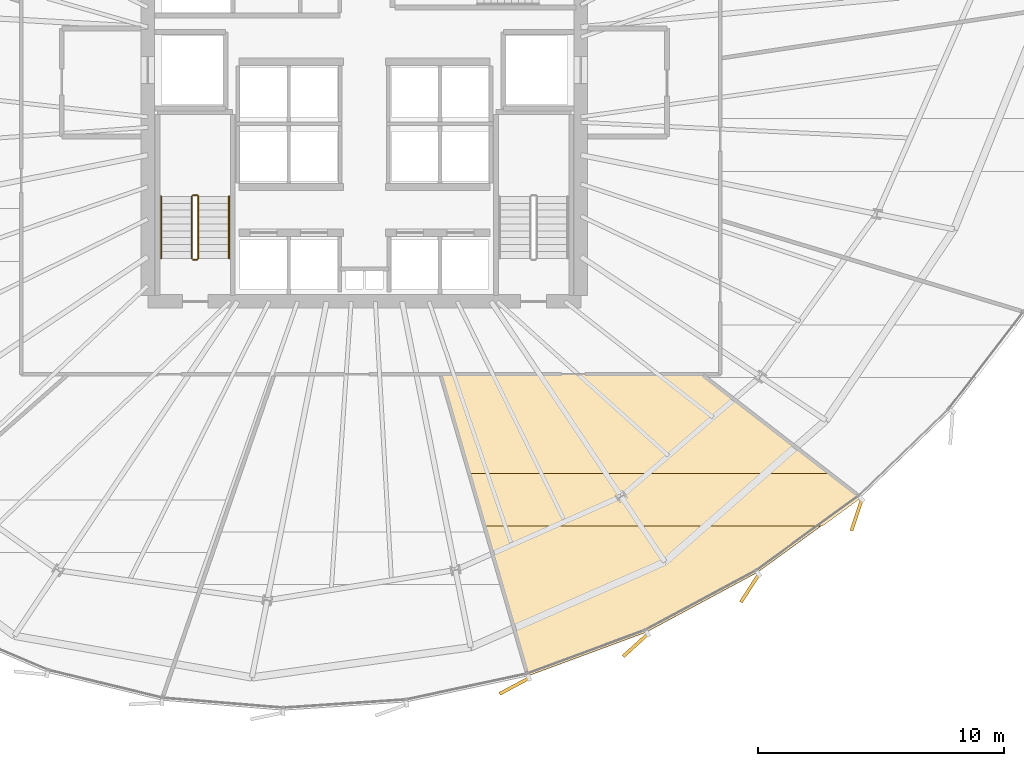
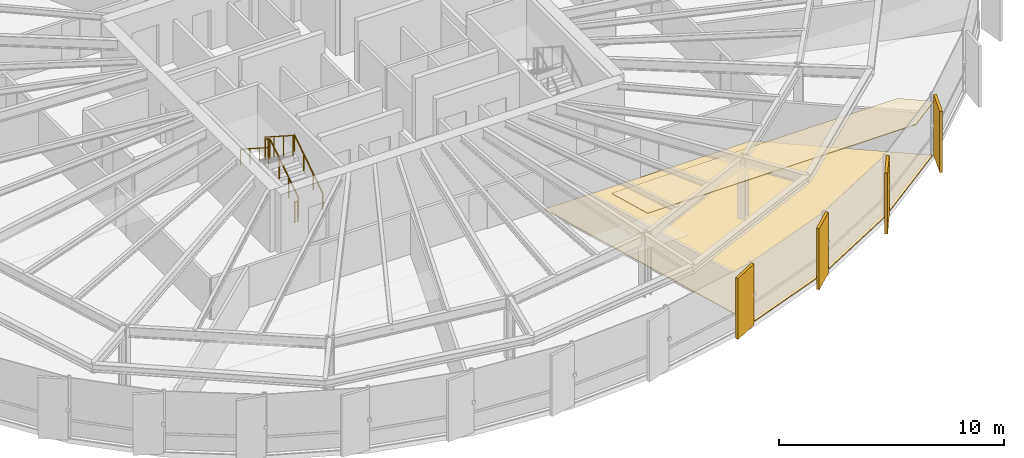
# One storey, part 33 of 35: 6 coverings, 6 railings.
"""IFC4 building model written with IfcOpenShell, lengths in metres."""

from ifc_helpers import new_model, si_unit, direction, frame, origin, origin_2d, place, context, subcontext, project, spatial, polyline, rectangle, circle, outline, extrude, source, transform, mapped, material, layer, layer_set, type_object, element, save


model = new_model("IFC4")

# Units and contexts
model_context = context("Model", 3, precision=1e-05, world=origin(), true_north=direction((0.0, 1.0)))
body_context = subcontext(model_context, "Body", "Model", "MODEL_VIEW")
ifc_project = project(units=[si_unit("LENGTHUNIT", "METRE"), si_unit("AREAUNIT", "SQUARE_METRE"), si_unit("VOLUMEUNIT", "CUBIC_METRE"), si_unit("PLANEANGLEUNIT", "RADIAN"), si_unit("MASSUNIT", "GRAM", prefix="KILO"), si_unit("THERMODYNAMICTEMPERATUREUNIT", "KELVIN")], contexts=[model_context])

# Site, building, storey
site_placement = place(None, origin())
site = spatial("IfcSite", under=ifc_project, at=site_placement, CompositionType="ELEMENT")
building_placement = place(site_placement, origin())
building = spatial("IfcBuilding", under=site, at=building_placement, Name="Kethvar Cultural Tower", CompositionType="ELEMENT")
storey_placement = place(building_placement, frame((0.0, 0.0, 100.0)))
storey = spatial("IfcBuildingStorey", under=building, at=storey_placement, Name="L24", CompositionType="ELEMENT", Elevation=100.0)

# Coverings
ifc_material_1 = material(Name="Acoustic Mineral Fibre Ceiling")
ifc_layer_1 = layer(ifc_material_1, 0.0400390625, Name="Acoustic Mineral Fibre Ceiling")
ifc_layer_set_1 = layer_set([ifc_layer_1], Name="Acoustic Mineral Fibre Ceiling (40 mm)")
covering_type_1 = type_object("IfcCoveringType", Name="CV-ACOUSTIC-CEIL", PredefinedType="CEILING", material=ifc_layer_set_1)
covering_1_placement = place(storey_placement, frame((0.0, 0.0, 2.889892578125)))
element("IfcCovering", 1, at=covering_1_placement, inside=storey, type_object=covering_type_1, Name="L24 Room 03 Acoustic Ceiling Panel", PredefinedType="CEILING", context=body_context, shape_type="SweptSolid", body=[
    extrude(outline(polyline([(51.0458984375, 13.1142578125), (65.720458984375, 13.1142578125), (66.987548828125, 12.1181640625), (65.4169921875, 10.96435546875), (51.67041015625, 10.96435546875), (51.0458984375, 13.1142578125)])), origin(), (0.0, 0.0, 1.0), 0.0400390625),
])
ifc_material_2 = material(Name="Honed Warm Limestone", Category="masonry")
ifc_layer_2 = layer(ifc_material_2, 0.030029296875, Name="Honed Warm Limestone", Category="masonry")
ifc_layer_set_2 = layer_set([ifc_layer_2], Name="Honed Warm Limestone (30 mm)")
covering_type_2 = type_object("IfcCoveringType", Name="CV-STONE-FLOOR", PredefinedType="FLOORING", material=ifc_layer_set_2)
covering_2_placement = place(storey_placement, origin())
element("IfcCovering", 2, at=covering_2_placement, inside=storey, type_object=covering_type_2, Name="L24 Room 03 Floor Finish", PredefinedType="FLOORING", context=body_context, shape_type="SweptSolid", body=[
    extrude(outline(polyline([(62.77783203125, 9.090087890625), (58.241455078125, 6.650390625), (53.476806640625, 4.89013671875), (49.923583984375, 17.1201171875), (60.50341796875, 17.1201171875), (66.934326171875, 12.119873046875), (62.77783203125, 9.090087890625)])), origin(), (0.0, 0.0, 1.0), 0.030029296875),
])

# Railings
ifc_material_3 = material(Name="Steel S355J2", Category="steel")
railing_type_1 = type_object("IfcRailingType", Name="RL-STAIR-GUARD", PredefinedType="BALUSTRADE", material=ifc_material_3)
railing_1_placement = place(storey_placement, frame((40.050048828125, 21.85009765625, 0.179931640625)))
element("IfcRailing", 3, at=railing_1_placement, inside=storey, type_object=railing_type_1, Name="L24 ST-01 stair guard 1", PredefinedType="BALUSTRADE", context=body_context, shape_type="SweptSolid", body=[
    extrude(circle(Radius=0.02392578125, at=origin_2d()), frame((0.0, 0.0, 1.09619140625), z_axis=(0.0, 0.841162588446, 0.540782303519), x_axis=(-1.0, 0.0, 0.0)), (0.0, 0.0, 1.0), 2.995849609375),
    extrude(circle(Radius=0.02099609375, at=origin_2d()), origin(), (0.0, 0.0, 1.0), 1.072021484375),
    extrude(circle(Radius=0.02099609375, at=origin_2d()), frame((0.0, 0.840087890625, 0.5400390625)), (0.0, 0.0, 1.0), 1.072021484375),
    extrude(circle(Radius=0.02099609375, at=origin_2d()), frame((0.0, 1.679931640625, 1.080078125)), (0.0, 0.0, 1.0), 1.072021484375),
    extrude(circle(Radius=0.02099609375, at=origin_2d()), frame((0.0, 2.52001953125, 1.6201171875)), (0.0, 0.0, 1.0), 1.072021484375),
])
railing_2_placement = place(storey_placement, frame((40.0, 24.419921875, 1.800048828125)))
element("IfcRailing", 4, at=railing_2_placement, inside=storey, type_object=railing_type_1, Name="L24 ST-01 stair guard 2", PredefinedType="BALUSTRADE", context=body_context, shape_type="SweptSolid", body=[
    extrude(circle(Radius=0.02392578125, at=origin_2d()), frame((0.0, 0.0, 1.09619140625), z_axis=(-1.0, 0.0, 0.0), x_axis=(0.0, -1.0, 0.0)), (0.0, 0.0, 1.0), 0.159912109375),
    extrude(circle(Radius=0.02099609375, at=origin_2d()), origin(), (0.0, 0.0, 1.0), 1.072021484375),
    extrude(circle(Radius=0.02099609375, at=origin_2d()), frame((-0.159912109375, 0.0, 0.0)), (0.0, 0.0, 1.0), 1.072021484375),
])
railing_3_placement = place(storey_placement, frame((39.7900390625, 24.3701171875, 1.97998046875)))
element("IfcRailing", 5, at=railing_3_placement, inside=storey, type_object=railing_type_1, Name="L24 ST-01 stair guard 3", PredefinedType="BALUSTRADE", context=body_context, shape_type="SweptSolid", body=[
    extrude(circle(Radius=0.02392578125, at=origin_2d()), frame((0.0, 0.0, 1.09619140625), z_axis=(0.0, -0.841162588446, 0.540782303519), x_axis=(1.0, 0.0, 0.0)), (0.0, 0.0, 1.0), 2.995849609375),
    extrude(circle(Radius=0.02099609375, at=origin_2d()), origin(), (0.0, 0.0, 1.0), 1.072021484375),
    extrude(circle(Radius=0.02099609375, at=origin_2d()), frame((0.0, -0.840087890625, 0.5400390625)), (0.0, 0.0, 1.0), 1.072021484375),
    extrude(circle(Radius=0.02099609375, at=origin_2d()), frame((0.0, -1.679931640625, 1.080078125)), (0.0, 0.0, 1.0), 1.072021484375),
    extrude(circle(Radius=0.02099609375, at=origin_2d()), frame((0.0, -2.52001953125, 1.6201171875)), (0.0, 0.0, 1.0), 1.072021484375),
])
railing_4_placement = place(storey_placement, frame((40.0, 21.800048828125, 0.0)))
element("IfcRailing", 6, at=railing_4_placement, inside=storey, type_object=railing_type_1, Name="L24 ST-01 stair guard 4", PredefinedType="BALUSTRADE", context=body_context, shape_type="SweptSolid", body=[
    extrude(circle(Radius=0.02392578125, at=origin_2d()), frame((0.0, 0.0, 1.09619140625), z_axis=(-1.0, 0.0, 0.0), x_axis=(0.0, -1.0, 0.0)), (0.0, 0.0, 1.0), 0.159912109375),
    extrude(circle(Radius=0.02099609375, at=origin_2d()), origin(), (0.0, 0.0, 1.0), 1.072021484375),
    extrude(circle(Radius=0.02099609375, at=origin_2d()), frame((-0.159912109375, 0.0, 0.0)), (0.0, 0.0, 1.0), 1.072021484375),
])
railing_type_2 = type_object("IfcRailingType", Name="RL-STAIR-HANDRAIL", PredefinedType="HANDRAIL", material=ifc_material_3)
railing_5_placement = place(storey_placement, frame((41.300048828125, 21.85009765625, 0.179931640625)))
element("IfcRailing", 7, at=railing_5_placement, inside=storey, type_object=railing_type_2, Name="L24 ST-01 stair handrail 1", PredefinedType="HANDRAIL", context=body_context, shape_type="SweptSolid", body=[
    extrude(circle(Radius=0.02392578125, at=origin_2d()), frame((0.0, 0.0, 0.8759765625), z_axis=(0.0, 0.841162588446, 0.540782303519), x_axis=(-1.0, 0.0, 0.0)), (0.0, 0.0, 1.0), 2.995849609375),
    extrude(circle(Radius=0.02099609375, at=origin_2d()), origin(), (0.0, 0.0, 1.0), 0.851806640625),
    extrude(circle(Radius=0.02099609375, at=origin_2d()), frame((0.0, 0.840087890625, 0.5400390625)), (0.0, 0.0, 1.0), 0.851806640625),
    extrude(circle(Radius=0.02099609375, at=origin_2d()), frame((0.0, 1.679931640625, 1.080078125)), (0.0, 0.0, 1.0), 0.851806640625),
    extrude(circle(Radius=0.02099609375, at=origin_2d()), frame((0.0, 2.52001953125, 1.6201171875)), (0.0, 0.0, 1.0), 0.851806640625),
])
railing_6_placement = place(storey_placement, frame((38.5400390625, 24.3701171875, 1.97998046875)))
element("IfcRailing", 8, at=railing_6_placement, inside=storey, type_object=railing_type_2, Name="L24 ST-01 stair handrail 2", PredefinedType="HANDRAIL", context=body_context, shape_type="SweptSolid", body=[
    extrude(circle(Radius=0.02392578125, at=origin_2d()), frame((0.0, 0.0, 0.8759765625), z_axis=(0.0, -0.841162588446, 0.540782303519), x_axis=(1.0, 0.0, 0.0)), (0.0, 0.0, 1.0), 2.995849609375),
    extrude(circle(Radius=0.02099609375, at=origin_2d()), origin(), (0.0, 0.0, 1.0), 0.851806640625),
    extrude(circle(Radius=0.02099609375, at=origin_2d()), frame((0.0, -0.840087890625, 0.5400390625)), (0.0, 0.0, 1.0), 0.851806640625),
    extrude(circle(Radius=0.02099609375, at=origin_2d()), frame((0.0, -1.679931640625, 1.080078125)), (0.0, 0.0, 1.0), 0.851806640625),
    extrude(circle(Radius=0.02099609375, at=origin_2d()), frame((0.0, -2.52001953125, 1.6201171875)), (0.0, 0.0, 1.0), 0.851806640625),
])

# Coverings
ifc_material_4 = material(Name="Extruded Architectural Terracotta", Category="masonry")
ifc_layer_3 = layer(ifc_material_4, 0.135009765625, Name="Extruded Architectural Terracotta", Category="masonry")
ifc_layer_set_3 = layer_set([ifc_layer_3], Name="Extruded Architectural Terracotta (135 mm)")
covering_type_3 = type_object("IfcCoveringType", Name="Terracotta Facade Fin FIN-02", PredefinedType="CLADDING", material=ifc_layer_set_3)
shared_shape = source(origin(), body_context, "Body", "SweptSolid", [
    extrude(rectangle(XDim=1.35009765625, YDim=0.135009765625, at=origin_2d()), origin(), (0.0, 0.0, 1.0), 3.31005859375),
])
for number, where, z_axis, x_axis, name in (
    (9, (52.896728515625, 4.468994140625, 0.02001953125), (0.0, 0.0, 1.0), (-0.880642787868, -0.473780835594, 0.0), "L24 Vertical Terracotta Fin 5.6"),
    (10, (57.823486328125, 6.125244140625, 0.02001953125), (0.0, 0.0, 1.0), (-0.738573017346, -0.674173492543, 0.0), "L24 Vertical Terracotta Fin 6.1"),
    (11, (62.4697265625, 8.441162109375, 0.02001953125), (0.0, 0.0, 1.0), (-0.542294904417, -0.840188215011, 0.0), "L24 Vertical Terracotta Fin 6.2"),
    (12, (66.810546875, 11.421142578125, 0.02001953125), (0.0, 0.0, 1.0), (-0.314820866332, -0.949151106053, 0.0), "L24 Vertical Terracotta Fin 6.3"),
):
    element("IfcCovering", number, at=place(storey_placement, frame(where, z_axis=z_axis, x_axis=x_axis)), inside=storey, type_object=covering_type_3, Name=name, PredefinedType="CLADDING", context=body_context, shape_type="MappedRepresentation", body=[
        mapped(shared_shape, transform((0.0, 0.0, 0.0), scale=1.0)),
    ])

save(model, "model.ifc")
